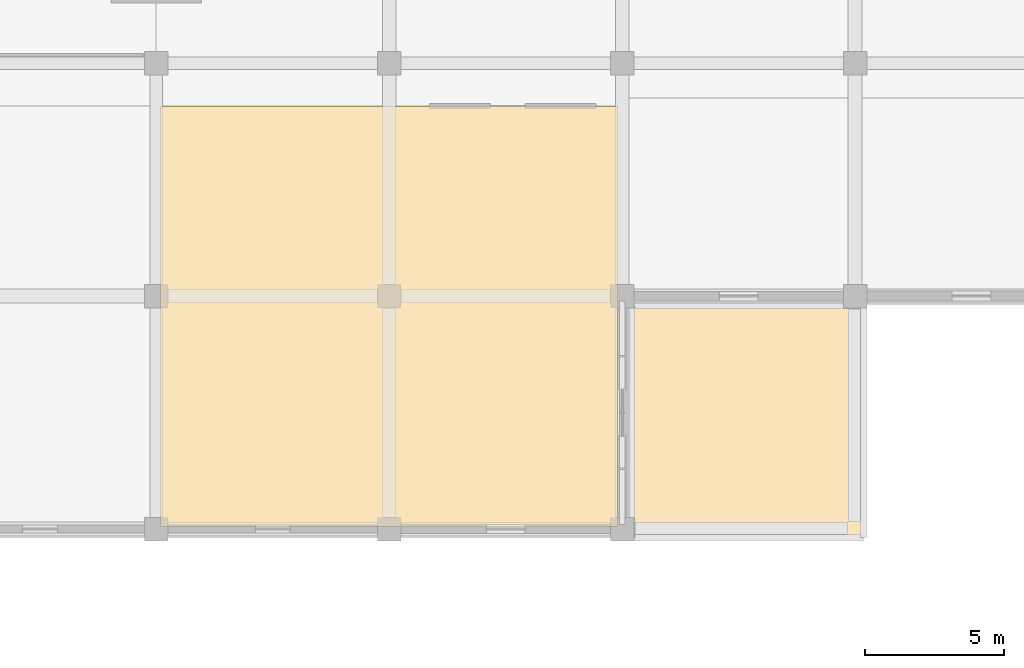
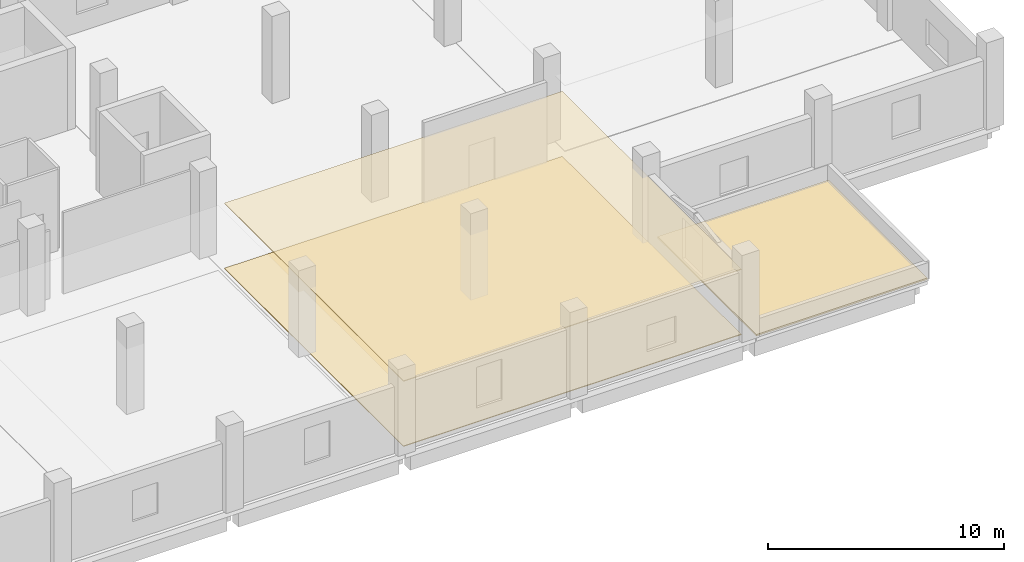
# One storey, part 134 of 137: 3 coverings.
"""IFC4 building model written with IfcOpenShell, lengths in metres."""

from ifc_helpers import new_model, si_unit, direction, frame, origin, place, context, subcontext, project, spatial, polyline, outline, extrude, material, layer, layer_set, type_object, element, save


model = new_model("IFC4")

# Units and contexts
model_context = context("Model", 3, precision=1e-05, world=origin(), true_north=direction((0.0, 1.0)))
body_context = subcontext(model_context, "Body", "Model", "MODEL_VIEW")
ifc_project = project(units=[si_unit("LENGTHUNIT", "METRE"), si_unit("AREAUNIT", "SQUARE_METRE"), si_unit("VOLUMEUNIT", "CUBIC_METRE"), si_unit("PLANEANGLEUNIT", "RADIAN"), si_unit("MASSUNIT", "GRAM", prefix="KILO")], contexts=[model_context])

# Site, building, storey
site_placement = place(None, origin())
site = spatial("IfcSite", under=ifc_project, at=site_placement, CompositionType="ELEMENT")
building_placement = place(site_placement, origin())
building = spatial("IfcBuilding", under=site, at=building_placement, Name="Xazarin Passage Department Store", CompositionType="ELEMENT")
storey_placement = place(building_placement, frame((0.0, 0.0, 5.39990234375)))
storey = spatial("IfcBuildingStorey", under=building, at=storey_placement, Name="L01", CompositionType="ELEMENT", Elevation=5.39990234375)

# Coverings
ifc_material_1 = material(Name="Acoustic mineral ceiling")
ifc_layer_1 = layer(ifc_material_1, 0.0400390625)
ifc_layer_set_1 = layer_set([ifc_layer_1], Name="Acoustic mineral ceiling")
covering_type_1 = type_object("IfcCoveringType", Name="ARC-COV-CLG040", PredefinedType="CEILING", material=ifc_layer_set_1)
covering_1_placement = place(storey_placement, frame((0.0, 0.0, 3.360107421875)))
element("IfcCovering", 1, at=covering_1_placement, inside=storey, type_object=covering_type_1, Name="L01 Electrical Room Acoustic Ceiling", PredefinedType="CEILING", context=body_context, shape_type="SweptSolid", body=[
    extrude(outline(polyline([(136.14990234375, 76.5), (152.64990234375, 76.5), (152.64990234375, 91.64990234375), (136.14990234375, 91.64990234375), (136.14990234375, 76.5)])), origin(), (0.0, 0.0, 1.0), 0.0400390625),
])
ifc_material_2 = material(Name="Terrazzo stone flooring", Category="masonry")
ifc_layer_2 = layer(ifc_material_2, 0.034912109375)
ifc_layer_set_2 = layer_set([ifc_layer_2], Name="Terrazzo stone flooring")
covering_type_2 = type_object("IfcCoveringType", Name="ARC-COV-FLR035", PredefinedType="FLOORING", material=ifc_layer_set_2)
covering_2_placement = place(storey_placement, origin())
element("IfcCovering", 2, at=covering_2_placement, inside=storey, type_object=covering_type_2, Name="L01 Electrical Room Terrazzo Flooring", PredefinedType="FLOORING", context=body_context, shape_type="SweptSolid", body=[
    extrude(outline(polyline([(136.14990234375, 76.5), (152.64990234375, 76.5), (152.64990234375, 91.64990234375), (136.14990234375, 91.64990234375), (136.14990234375, 76.5)])), origin(), (0.0, 0.0, 1.0), 0.03515625),
])
ifc_material_3 = material(Name="Insulated waterproof roofing membrane")
ifc_layer_3 = layer(ifc_material_3, 0.080078125)
ifc_layer_set_3 = layer_set([ifc_layer_3], Name="Insulated waterproof roofing membrane")
covering_type_3 = type_object("IfcCoveringType", Name="ARC-COV-RFG080", PredefinedType="ROOFING", material=ifc_layer_set_3)
covering_3_placement = place(storey_placement, origin())
element("IfcCovering", 3, at=covering_3_placement, inside=storey, type_object=covering_type_3, Name="L01 Insulated Roofing Membrane SLB-V4-L01-STEP-1", PredefinedType="ROOFING", context=body_context, shape_type="SweptSolid", body=[
    extrude(outline(polyline([(153.14990234375, 84.449951171875), (153.14990234375, 76.10009765625), (161.5, 76.10009765625), (161.5, 84.449951171875), (153.14990234375, 84.449951171875)])), origin(), (0.0, 0.0, 1.0), 0.080078125),
])

save(model, "model.ifc")
